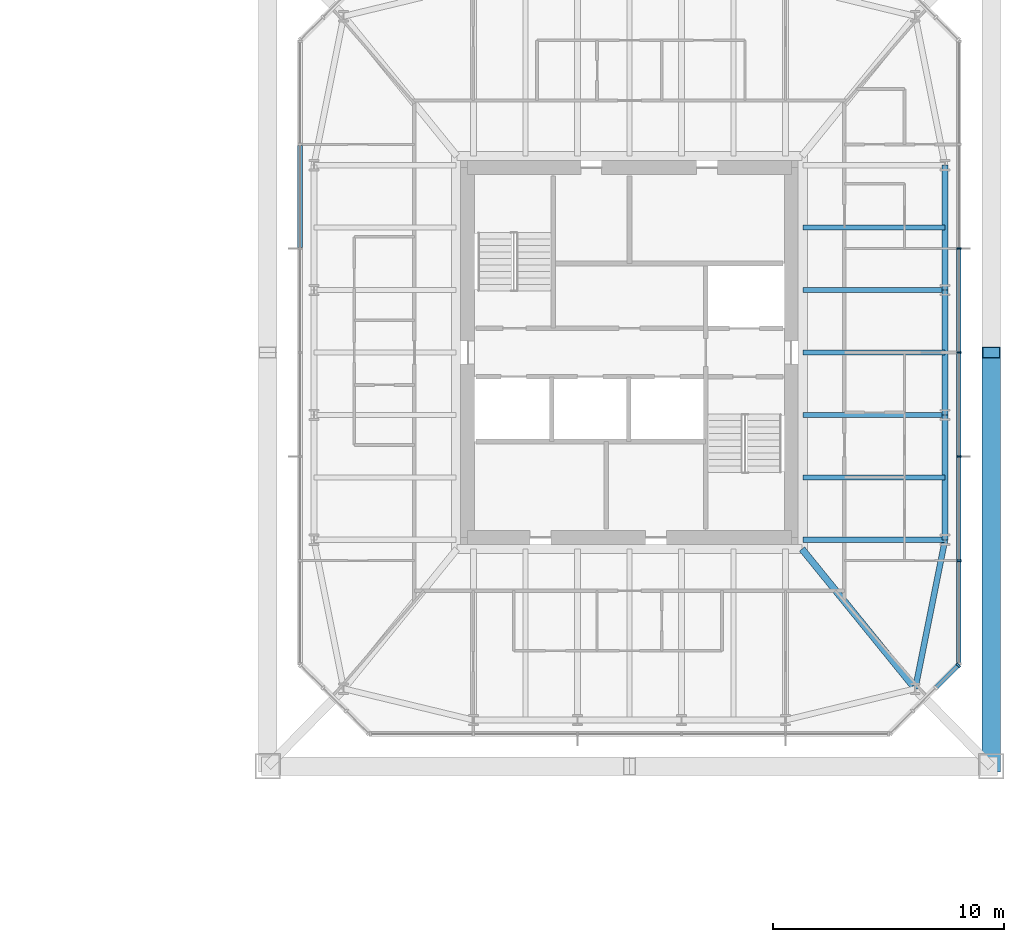
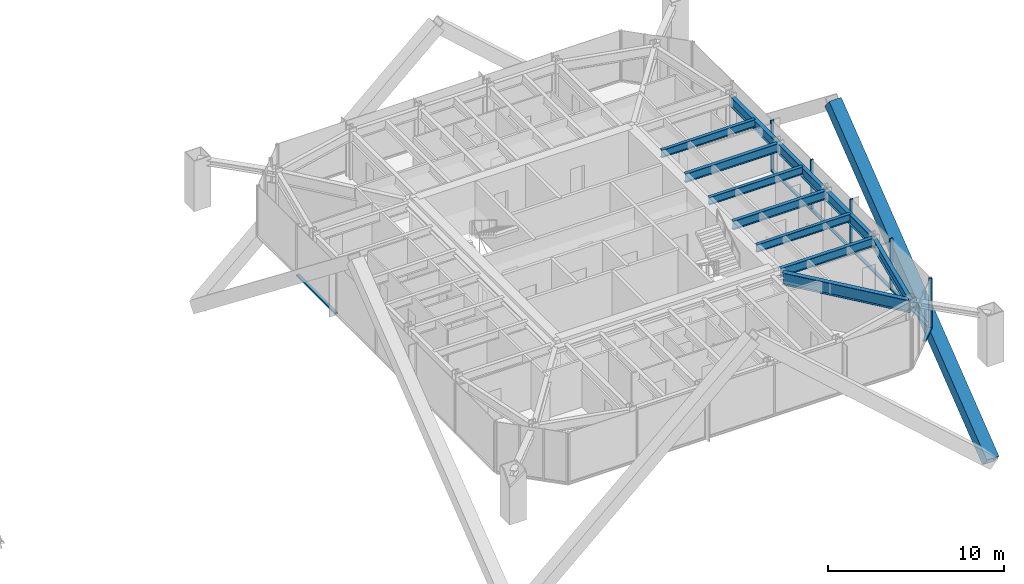
# One storey, part 9 of 25: 12 members, 11 beams, 3 elements without a shape of their own.
"""IFC4 building model written with IfcOpenShell, lengths in metres."""

from ifc_helpers import new_model, si_unit, direction, frame, origin, origin_2d, place, context, subcontext, project, spatial, rectangle, hollow_rectangle, i_section, extrude, material, material_profile, profile_set, type_object, element, aggregate, save


model = new_model("IFC4")

# Units and contexts
model_context = context("Model", 3, precision=1e-05, world=origin(), true_north=direction((0.0, 1.0)))
body_context = subcontext(model_context, "Body", "Model", "MODEL_VIEW")
ifc_project = project(units=[si_unit("LENGTHUNIT", "METRE"), si_unit("AREAUNIT", "SQUARE_METRE"), si_unit("VOLUMEUNIT", "CUBIC_METRE"), si_unit("PLANEANGLEUNIT", "RADIAN"), si_unit("MASSUNIT", "GRAM", prefix="KILO")], contexts=[model_context])

# Site, building, storey
site_placement = place(None, origin())
site = spatial("IfcSite", under=ifc_project, at=site_placement, CompositionType="ELEMENT")
building_placement = place(site_placement, origin())
building = spatial("IfcBuilding", under=site, at=building_placement, Name="Iwan Alto Co-Living Towers", CompositionType="ELEMENT")
storey_placement = place(building_placement, frame((0.0, 0.0, 108.5)))
storey = spatial("IfcBuildingStorey", under=building, at=storey_placement, Name="L29", CompositionType="ELEMENT", Elevation=108.5)

# Curtain wall, members
ifc_material_1 = material(Name="Bronze aluminium unitised frame", Category="aluminium")
curtain_wall_type_1 = type_object("IfcCurtainWallType", Name="CURTAIN WALL CW-C", PredefinedType="NOTDEFINED", material=ifc_material_1)
curtain_wall_1_placement = place(storey_placement, origin())
curtain_wall_1 = element("IfcCurtainWall", 1, at=curtain_wall_1_placement, inside=storey, type_object=curtain_wall_type_1, Name="T2 curtain wall E L29", PredefinedType="NOTDEFINED")
ifc_material_2 = material(Name="Aluminium 6063-T6 bronze anodised", Category="aluminium")
ifc_material_profile_1 = material_profile(ifc_material_2, rectangle(XDim=0.199951171875, YDim=0.080078125, at=origin_2d()), Name="AL 80X200")
ifc_profile_set_1 = profile_set([ifc_material_profile_1], Name="Aluminium 6063-T6 bronze anodised")
member_type_1 = type_object("IfcMemberType", Name="CW-C MULLION 80X200", PredefinedType="MULLION", material=ifc_profile_set_1)
member_1_placement = place(storey_placement, frame((77.25, -9.0, 0.0), z_axis=(0.0, 0.0, 1.0), x_axis=(-1.0, 0.0, 0.0)))
member_1 = element("IfcMember", 2, at=member_1_placement, type_object=member_type_1, Name="CW-C mullion 2", PredefinedType="MULLION", context=body_context, shape_type="SweptSolid", body=[
    extrude(rectangle(XDim=0.199951171875, YDim=0.080078125, at=origin_2d()), origin(), (0.0, 0.0, 1.0), 3.5),
])
member_2_placement = place(storey_placement, frame((77.25, -4.5, 0.0), z_axis=(0.0, 0.0, 1.0), x_axis=(-1.0, 0.0, 0.0)))
member_2 = element("IfcMember", 3, at=member_2_placement, type_object=member_type_1, Name="CW-C mullion 3", PredefinedType="MULLION", context=body_context, shape_type="SweptSolid", body=[
    extrude(rectangle(XDim=0.199951171875, YDim=0.080078125, at=origin_2d()), origin(), (0.0, 0.0, 1.0), 3.5),
])
member_3_placement = place(storey_placement, frame((77.25, 0.0, 0.0), z_axis=(0.0, 0.0, 1.0), x_axis=(-1.0, 0.0, 0.0)))
member_3 = element("IfcMember", 4, at=member_3_placement, type_object=member_type_1, Name="CW-C mullion 4", PredefinedType="MULLION", context=body_context, shape_type="SweptSolid", body=[
    extrude(rectangle(XDim=0.199951171875, YDim=0.080078125, at=origin_2d()), origin(), (0.0, 0.0, 1.0), 3.5),
])
member_4_placement = place(storey_placement, frame((77.25, 4.5, 0.0), z_axis=(0.0, 0.0, 1.0), x_axis=(-1.0, 0.0, 0.0)))
member_4 = element("IfcMember", 5, at=member_4_placement, type_object=member_type_1, Name="CW-C mullion 5", PredefinedType="MULLION", context=body_context, shape_type="SweptSolid", body=[
    extrude(rectangle(XDim=0.199951171875, YDim=0.080078125, at=origin_2d()), origin(), (0.0, 0.0, 1.0), 3.5),
])
ifc_material_3 = material(Name="Aluminium 6063-T6 bronze anodised", Category="aluminium")
ifc_material_profile_2 = material_profile(ifc_material_3, rectangle(XDim=0.199951171875, YDim=0.10009765625, at=origin_2d()), Name="AL 200X100")
ifc_profile_set_2 = profile_set([ifc_material_profile_2], Name="Aluminium 6063-T6 bronze anodised")
member_type_2 = type_object("IfcMemberType", Name="CW-C TRANSOM 200X100", PredefinedType="USERDEFINED", material=ifc_profile_set_2)
member_5_placement = place(storey_placement, frame((77.25, -13.419921875, 0.050048828125), z_axis=(0.0, 1.0, 0.0), x_axis=(-1.0, 0.0, 0.0)))
member_5 = element("IfcMember", 6, at=member_5_placement, type_object=member_type_2, Name="CW-C transom 1.1", ObjectType="TRANSOM", PredefinedType="USERDEFINED", context=body_context, shape_type="SweptSolid", body=[
    extrude(rectangle(XDim=0.199951171875, YDim=0.10009765625, at=origin_2d()), origin(), (0.0, 0.0, 1.0), 4.3798828125),
])
member_6_placement = place(storey_placement, frame((77.25, -8.9599609375, 0.050048828125), z_axis=(0.0, 1.0, 0.0), x_axis=(-1.0, 0.0, 0.0)))
member_6 = element("IfcMember", 7, at=member_6_placement, type_object=member_type_2, Name="CW-C transom 2.1", ObjectType="TRANSOM", PredefinedType="USERDEFINED", context=body_context, shape_type="SweptSolid", body=[
    extrude(rectangle(XDim=0.199951171875, YDim=0.10009765625, at=origin_2d()), origin(), (0.0, 0.0, 1.0), 4.419921875),
])
member_7_placement = place(storey_placement, frame((77.25, -4.4599609375, 0.050048828125), z_axis=(0.0, 1.0, 0.0), x_axis=(-1.0, 0.0, 0.0)))
member_7 = element("IfcMember", 8, at=member_7_placement, type_object=member_type_2, Name="CW-C transom 3.1", ObjectType="TRANSOM", PredefinedType="USERDEFINED", context=body_context, shape_type="SweptSolid", body=[
    extrude(rectangle(XDim=0.199951171875, YDim=0.10009765625, at=origin_2d()), origin(), (0.0, 0.0, 1.0), 4.419921875),
])
member_8_placement = place(storey_placement, frame((77.25, 0.0400390625, 0.050048828125), z_axis=(0.0, 1.0, 0.0), x_axis=(-1.0, 0.0, 0.0)))
member_8 = element("IfcMember", 9, at=member_8_placement, type_object=member_type_2, Name="CW-C transom 4.1", ObjectType="TRANSOM", PredefinedType="USERDEFINED", context=body_context, shape_type="SweptSolid", body=[
    extrude(rectangle(XDim=0.199951171875, YDim=0.10009765625, at=origin_2d()), origin(), (0.0, 0.0, 1.0), 4.419921875),
])
aggregate(curtain_wall_1, [member_1, member_2, member_3, member_4, member_5, member_6, member_7, member_8])

# Curtain wall, member
curtain_wall_2_placement = place(storey_placement, origin())
curtain_wall_2 = element("IfcCurtainWall", 10, at=curtain_wall_2_placement, inside=storey, type_object=curtain_wall_type_1, Name="T2 curtain wall W L29", PredefinedType="NOTDEFINED")
member_9_placement = place(storey_placement, frame((48.75, 8.9599609375, 0.050048828125), z_axis=(0.0, -1.0, 0.0), x_axis=(1.0, 0.0, 0.0)))
member_9 = element("IfcMember", 11, at=member_9_placement, type_object=member_type_2, Name="CW-C transom 2.1", ObjectType="TRANSOM", PredefinedType="USERDEFINED", context=body_context, shape_type="SweptSolid", body=[
    extrude(rectangle(XDim=0.199951171875, YDim=0.10009765625, at=origin_2d()), origin(), (0.0, 0.0, 1.0), 4.419921875),
])
aggregate(curtain_wall_2, [member_9])

# Curtain wall, members
ifc_material_4 = material(Name="Bronze aluminium unitised frame", Category="aluminium")
curtain_wall_type_2 = type_object("IfcCurtainWallType", Name="CURTAIN WALL CW-D", PredefinedType="NOTDEFINED", material=ifc_material_4)
curtain_wall_3_placement = place(storey_placement, origin())
curtain_wall_3 = element("IfcCurtainWall", 12, at=curtain_wall_3_placement, inside=storey, type_object=curtain_wall_type_2, Name="T2 chamfer curtain wall SE L29", PredefinedType="NOTDEFINED")
ifc_material_5 = material(Name="Aluminium 6063-T6 bronze anodised", Category="aluminium")
ifc_material_profile_3 = material_profile(ifc_material_5, rectangle(XDim=0.199951171875, YDim=0.080078125, at=origin_2d()), Name="AL 80X200")
ifc_profile_set_3 = profile_set([ifc_material_profile_3], Name="Aluminium 6063-T6 bronze anodised")
member_type_3 = type_object("IfcMemberType", Name="CW-D MULLION 80X200", PredefinedType="MULLION", material=ifc_profile_set_3)
member_10_placement = place(storey_placement, frame((77.2216796875, -13.5283203125, 0.0), z_axis=(0.0, 0.0, 1.0), x_axis=(-0.707106781187, 0.707106781187, 0.0)))
member_10 = element("IfcMember", 13, at=member_10_placement, type_object=member_type_3, Name="CW-D mullion 4", PredefinedType="MULLION", context=body_context, shape_type="SweptSolid", body=[
    extrude(rectangle(XDim=0.199951171875, YDim=0.080078125, at=origin_2d()), origin(), (0.0, 0.0, 1.0), 3.5),
])
ifc_material_6 = material(Name="Aluminium 6063-T6 bronze anodised", Category="aluminium")
ifc_material_profile_4 = material_profile(ifc_material_6, rectangle(XDim=0.199951171875, YDim=0.10009765625, at=origin_2d()), Name="AL 200X100")
ifc_profile_set_4 = profile_set([ifc_material_profile_4], Name="Aluminium 6063-T6 bronze anodised")
member_type_4 = type_object("IfcMemberType", Name="CW-D TRANSOM 200X100", PredefinedType="USERDEFINED", material=ifc_profile_set_4)
member_11_placement = place(storey_placement, frame((76.2783203125, -14.4716796875, 0.050048828125), z_axis=(0.707106781187, 0.707106781187, 0.0), x_axis=(-0.707106781187, 0.707106781187, 0.0)))
member_11 = element("IfcMember", 14, at=member_11_placement, type_object=member_type_4, Name="CW-D transom 3.1", ObjectType="TRANSOM", PredefinedType="USERDEFINED", context=body_context, shape_type="SweptSolid", body=[
    extrude(rectangle(XDim=0.199951171875, YDim=0.10009765625, at=origin_2d()), origin(), (0.0, 0.0, 1.0), 1.2939453125),
])
aggregate(curtain_wall_3, [member_10, member_11])

# Beams
ifc_material_7 = material(Name="Steel ASTM A992 Gr 50", Category="steel")
ifc_material_profile_5 = material_profile(ifc_material_7, i_section(OverallWidth=0.2919921875, OverallDepth=0.8408203125, WebThickness=0.0146484375, FlangeThickness=0.021728515625, at=origin_2d()), Name="W33X130")
ifc_profile_set_5 = profile_set([ifc_material_profile_5], Name="Steel ASTM A992 Gr 50")
beam_type_1 = type_object("IfcBeamType", Name="T2 CORNER GIRDER W33X130", PredefinedType="BEAM", material=ifc_profile_set_5)
beam_1_placement = place(storey_placement, frame((75.361328125, -14.542724609375, 2.849609375), z_axis=(-0.629783024592, 0.776771100091, 0.0), x_axis=(-0.776771100091, -0.629783024592, 0.0)))
element("IfcBeam", 15, at=beam_1_placement, inside=storey, type_object=beam_type_1, Name="T2 corner girder CSE L30", PredefinedType="BEAM", context=body_context, shape_type="SweptSolid", body=[
    extrude(i_section(OverallWidth=0.2919921875, OverallDepth=0.8408203125, WebThickness=0.0146484375, FlangeThickness=0.021728515625, at=origin_2d()), origin(), (0.0, 0.0, 1.0), 7.780029296875),
])
ifc_material_8 = material(Name="Steel ASTM A992 Gr 50", Category="steel")
ifc_material_profile_6 = material_profile(ifc_material_8, i_section(OverallWidth=0.25390625, OverallDepth=0.683349609375, WebThickness=0.012451171875, FlangeThickness=0.018798828125, at=origin_2d()), Name="W27X94")
ifc_profile_set_6 = profile_set([ifc_material_profile_6], Name="Steel ASTM A992 Gr 50")
beam_type_2 = type_object("IfcBeamType", Name="T2 EDGE BEAM W27X94", PredefinedType="BEAM", material=ifc_profile_set_6)
beam_2_placement = place(storey_placement, frame((75.361328125, -14.542724609375, 2.928466796875), z_axis=(0.196123281025, 0.980579246487, 0.0), x_axis=(-0.980579246487, 0.196123281025, 0.0)))
element("IfcBeam", 16, at=beam_2_placement, inside=storey, type_object=beam_type_2, Name="T2 edge beam CSE L30", PredefinedType="BEAM", context=body_context, shape_type="SweptSolid", body=[
    extrude(i_section(OverallWidth=0.25390625, OverallDepth=0.683349609375, WebThickness=0.012451171875, FlangeThickness=0.018798828125, at=origin_2d()), origin(), (0.0, 0.0, 1.0), 6.5703125),
])
beam_3_placement = place(storey_placement, frame((76.64990234375, -8.10009765625, 2.928466796875), z_axis=(0.0, 1.0, 0.0), x_axis=(-1.0, 0.0, 0.0)))
element("IfcBeam", 17, at=beam_3_placement, inside=storey, type_object=beam_type_2, Name="T2 edge beam E1 L30", PredefinedType="BEAM", context=body_context, shape_type="SweptSolid", body=[
    extrude(i_section(OverallWidth=0.25390625, OverallDepth=0.683349609375, WebThickness=0.012451171875, FlangeThickness=0.018798828125, at=origin_2d()), origin(), (0.0, 0.0, 1.0), 5.400146484375),
])
beam_4_placement = place(storey_placement, frame((76.64990234375, -2.699951171875, 2.928466796875), z_axis=(0.0, 1.0, 0.0), x_axis=(-1.0, 0.0, 0.0)))
element("IfcBeam", 18, at=beam_4_placement, inside=storey, type_object=beam_type_2, Name="T2 edge beam E2 L30", PredefinedType="BEAM", context=body_context, shape_type="SweptSolid", body=[
    extrude(i_section(OverallWidth=0.25390625, OverallDepth=0.683349609375, WebThickness=0.012451171875, FlangeThickness=0.018798828125, at=origin_2d()), origin(), (0.0, 0.0, 1.0), 5.39990234375),
])
beam_5_placement = place(storey_placement, frame((76.64990234375, 2.699951171875, 2.928466796875), z_axis=(0.0, 1.0, 0.0), x_axis=(-1.0, 0.0, 0.0)))
element("IfcBeam", 19, at=beam_5_placement, inside=storey, type_object=beam_type_2, Name="T2 edge beam E3 L30", PredefinedType="BEAM", context=body_context, shape_type="SweptSolid", body=[
    extrude(i_section(OverallWidth=0.25390625, OverallDepth=0.683349609375, WebThickness=0.012451171875, FlangeThickness=0.018798828125, at=origin_2d()), origin(), (0.0, 0.0, 1.0), 5.400146484375),
])

# Member
ifc_material_9 = material(Name="Steel ASTM A572 Gr 50", Category="steel")
ifc_material_profile_7 = material_profile(ifc_material_9, hollow_rectangle(XDim=0.800048828125, YDim=0.800048828125, WallThickness=0.050048828125, at=origin_2d()), Name="BOX 800X800X50")
ifc_profile_set_7 = profile_set([ifc_material_profile_7], Name="Steel ASTM A572 Gr 50")
member_type_5 = type_object("IfcMemberType", Name="T2 MEGA BRACE BOX 800X800X50", PredefinedType="BRACE", material=ifc_profile_set_7)
member_12_placement = place(storey_placement, frame((78.64990234375, -17.89990234375, -7.0), z_axis=(0.0, 0.787689053125, 0.616073011572), x_axis=(-1.0, 0.0, 0.0)))
element("IfcMember", 20, at=member_12_placement, inside=storey, type_object=member_type_5, Name="T2 mega brace Z2B E 1 lower", PredefinedType="BRACE", context=body_context, shape_type="SweptSolid", body=[
    extrude(hollow_rectangle(XDim=0.800048828125, YDim=0.800048828125, WallThickness=0.050048828125, at=origin_2d()), origin(), (0.0, 0.0, 1.0), 22.724609375),
])

# Beams
ifc_material_10 = material(Name="Steel ASTM A992 Gr 50", Category="steel")
ifc_material_profile_8 = material_profile(ifc_material_10, i_section(OverallWidth=0.228271484375, OverallDepth=0.607177734375, WebThickness=0.01123046875, FlangeThickness=0.017333984375, at=origin_2d()), Name="W24X76")
ifc_profile_set_8 = profile_set([ifc_material_profile_8], Name="Steel ASTM A992 Gr 50")
beam_type_3 = type_object("IfcBeamType", Name="T2 RADIAL BEAM W24X76", PredefinedType="BEAM", material=ifc_profile_set_8)
for number, where, z_axis, x_axis, name in (
    (21, (76.64990234375, -8.10009765625, 2.966552734375), (-1.0, 0.0, 0.0), (0.0, -1.0, 0.0), "T2 radial beam E1 L30"),
    (22, (76.64990234375, -2.699951171875, 2.966552734375), (-1.0, 0.0, 0.0), (0.0, -1.0, 0.0), "T2 radial beam E2 L30"),
    (23, (76.64990234375, 2.699951171875, 2.966552734375), (-1.0, 0.0, 0.0), (0.0, -1.0, 0.0), "T2 radial beam E3 L30"),
):
    element("IfcBeam", number, at=place(storey_placement, frame(where, z_axis=z_axis, x_axis=x_axis)), inside=storey, type_object=beam_type_3, Name=name, PredefinedType="BEAM", context=body_context, shape_type="SweptSolid", body=[
        extrude(i_section(OverallWidth=0.228271484375, OverallDepth=0.607177734375, WebThickness=0.01123046875, FlangeThickness=0.017333984375, at=origin_2d()), origin(), (0.0, 0.0, 1.0), 6.150390625),
    ])
ifc_material_11 = material(Name="Steel ASTM A992 Gr 50", Category="steel")
ifc_material_profile_9 = material_profile(ifc_material_11, i_section(OverallWidth=0.209228515625, OverallDepth=0.533447265625, WebThickness=0.01025390625, FlangeThickness=0.015625, at=origin_2d()), Name="W21X62")
ifc_profile_set_9 = profile_set([ifc_material_profile_9], Name="Steel ASTM A992 Gr 50")
beam_type_4 = type_object("IfcBeamType", Name="T2 SECONDARY BEAM W21X62", PredefinedType="JOIST", material=ifc_profile_set_9)
for number, where, z_axis, x_axis, name in (
    (24, (76.64990234375, -5.39990234375, 3.00341796875), (-1.0, 0.0, 0.0), (0.0, -1.0, 0.0), "T2 secondary beam E1 L30"),
    (25, (76.64990234375, 0.0, 3.00341796875), (-1.0, 0.0, 0.0), (0.0, -1.0, 0.0), "T2 secondary beam E2 L30"),
    (26, (76.64990234375, 5.39990234375, 3.00341796875), (-1.0, 0.0, 0.0), (0.0, -1.0, 0.0), "T2 secondary beam E3 L30"),
):
    element("IfcBeam", number, at=place(storey_placement, frame(where, z_axis=z_axis, x_axis=x_axis)), inside=storey, type_object=beam_type_4, Name=name, PredefinedType="JOIST", context=body_context, shape_type="SweptSolid", body=[
        extrude(i_section(OverallWidth=0.209228515625, OverallDepth=0.533447265625, WebThickness=0.01025390625, FlangeThickness=0.015625, at=origin_2d()), origin(), (0.0, 0.0, 1.0), 6.150390625),
    ])

save(model, "model.ifc")
